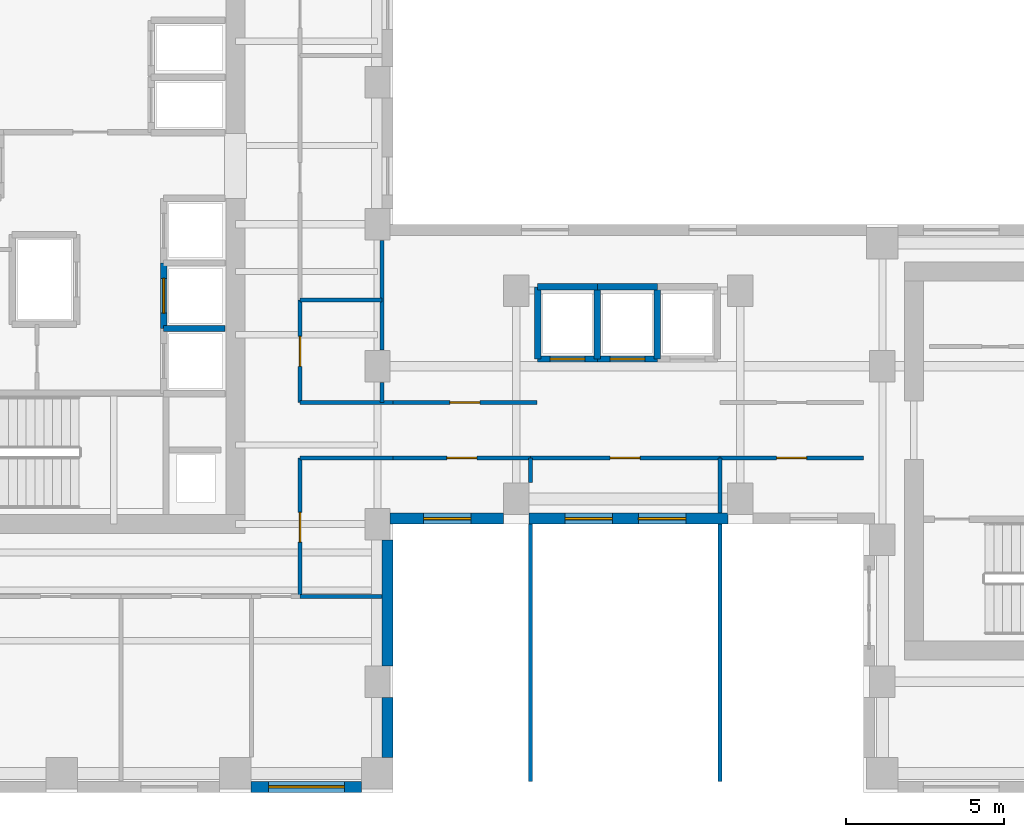
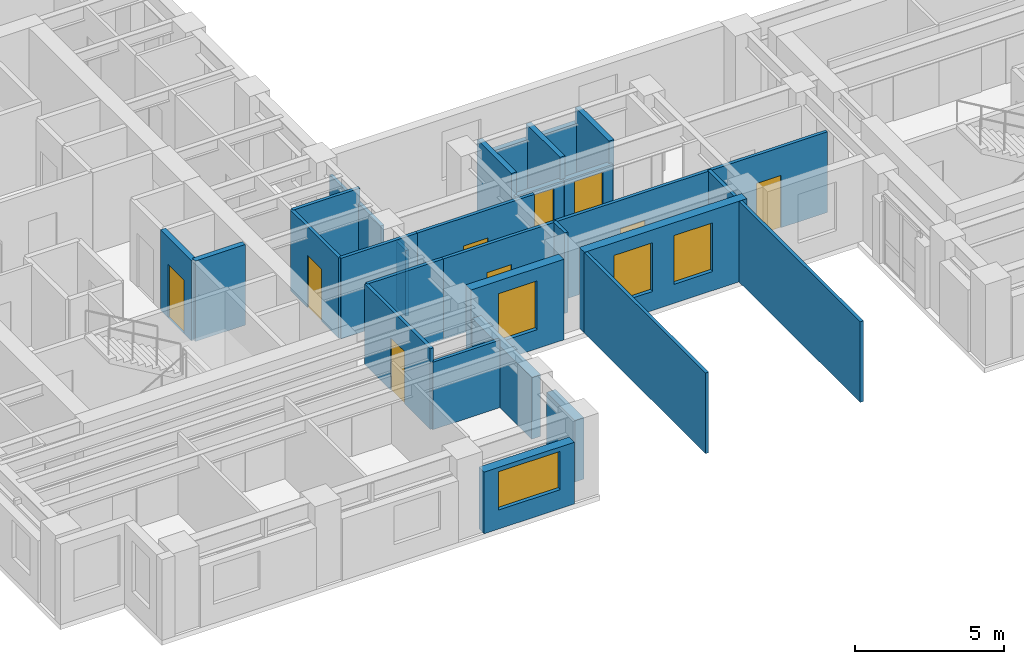
# One storey, part 5 of 12: 30 walls, 9 doors, 4 windows, 13 openings.
"""IFC4 building model written with IfcOpenShell, lengths in metres."""

from ifc_helpers import new_model, si_unit, direction, frame, frame_2d, origin, place, context, subcontext, project, spatial, rectangle, extrude, source, transform, mapped, material, layer, layer_set, type_object, element, fill, save


model = new_model("IFC4")

# Units and contexts
model_context = context("Model", 3, precision=1e-05, world=origin(), true_north=direction((0.0, 1.0)))
body_context = subcontext(model_context, "Body", "Model", "MODEL_VIEW")
ifc_project = project(units=[si_unit("LENGTHUNIT", "METRE"), si_unit("AREAUNIT", "SQUARE_METRE"), si_unit("VOLUMEUNIT", "CUBIC_METRE"), si_unit("PLANEANGLEUNIT", "RADIAN"), si_unit("MASSUNIT", "GRAM", prefix="KILO")], contexts=[model_context])

# Site, building, storey
site_placement = place(None, origin())
site = spatial("IfcSite", under=ifc_project, at=site_placement, CompositionType="ELEMENT")
building_placement = place(site_placement, origin())
building = spatial("IfcBuilding", under=site, at=building_placement, Name="Kharzan Plaza Tower", CompositionType="ELEMENT")
storey_placement = place(building_placement, frame((0.0, 0.0, 204.300048828125)))
storey = spatial("IfcBuildingStorey", under=building, at=storey_placement, Name="L55", CompositionType="ELEMENT", Elevation=204.300048828125)

# Wall, opening, window
ifc_material_1 = material(Name="Concrete C40/50", Category="concrete")
ifc_layer_1 = layer(ifc_material_1, 0.35009765625)
ifc_layer_set_1 = layer_set([ifc_layer_1], Name="Concrete C40/50")
wall_type_1 = type_object("IfcWallType", Name="WL-EXT-MAS-Z3", PredefinedType="SOLIDWALL", material=ifc_layer_set_1)
wall_1_placement = place(storey_placement, frame((14.998046875, 0.175048828125, 0.0), z_axis=(0.0, 0.0, 1.0), x_axis=(1.0, 0.0, 0.0)))
wall_1 = element("IfcWall", 1, at=wall_1_placement, inside=storey, type_object=wall_type_1, Name="L55 Masonry-Frame Exterior Wall 23", PredefinedType="SOLIDWALL", context=body_context, shape_type="SweptSolid", body=[
    extrude(rectangle(XDim=3.50390625, YDim=0.35009765625, at=frame_2d((1.751953125, 0.0))), origin(), (0.0, 0.0, 1.0), 2.531982421875),
])
opening_1_placement = place(wall_1_placement, frame((0.552001953125, 0.0, 0.780029296875)))
opening_1 = element("IfcOpeningElement", 2, at=opening_1_placement, cuts=wall_1, Name="Opening W2", PredefinedType="OPENING", context=body_context, shape_type="SweptSolid", body=[
    extrude(rectangle(XDim=2.39990234375, YDim=1.572021484375, at=frame_2d((1.199951171875, 0.7861328125))), frame((0.0, 0.18505859375, 0.0), z_axis=(0.0, -1.0, 0.0), x_axis=(1.0, 0.0, 0.0)), (0.0, 0.0, 1.0), 0.3701171875),
])
ifc_material_2 = material(Name="Low-E Double Glazing", Category="glass")
window_type_1 = type_object("IfcWindowType", Name="WN-REC-2400x2100", PartitioningType="SINGLE_PANEL", PredefinedType="WINDOW", material=ifc_material_2)
shared_shape_1 = source(origin(), body_context, "Body", "SweptSolid", [
    extrude(rectangle(XDim=2.39990234375, YDim=1.572021484375, at=frame_2d((1.199951171875, 0.7861328125))), frame((0.0, 0.030029296875, 0.0), z_axis=(0.0, -1.0, 0.0), x_axis=(1.0, 0.0, 0.0)), (0.0, 0.0, 1.0), 0.06005859375),
])
window_1_placement = place(opening_1_placement, origin())
window_1 = element("IfcWindow", 3, at=window_1_placement, inside=storey, type_object=window_type_1, Name="L55 Wide Recessed Solar-Control Window 23-1", OverallHeight=1.572021484375, OverallWidth=2.39990234375, PartitioningType="SINGLE_PANEL", PredefinedType="WINDOW", context=body_context, shape_type="MappedRepresentation", body=[
    mapped(shared_shape_1, transform((0.0, 0.0, 0.0), x_axis=(1.0, 0.0, 0.0), y_axis=(0.0, 1.0, 0.0), z_axis=(0.0, 0.0, 1.0))),
])
fill(opening_1, window_1)

wall_2_placement = place(storey_placement, frame((19.39794921875, 8.675048828125, 0.0), z_axis=(0.0, 0.0, 1.0), x_axis=(1.0, 0.0, 0.0)))
wall_2 = element("IfcWall", 4, at=wall_2_placement, inside=storey, type_object=wall_type_1, Name="L55 Masonry-Frame Exterior Wall 26", PredefinedType="SOLIDWALL", context=body_context, shape_type="SweptSolid", body=[
    extrude(rectangle(XDim=3.60400390625, YDim=0.35009765625, at=frame_2d((1.802001953125, 0.0))), origin(), (0.0, 0.0, 1.0), 3.304931640625),
])
opening_2_placement = place(wall_2_placement, frame((1.067138671875, 0.0, 0.780029296875)))
opening_2 = element("IfcOpeningElement", 5, at=opening_2_placement, cuts=wall_2, Name="Opening W5", PredefinedType="OPENING", context=body_context, shape_type="SweptSolid", body=[
    extrude(rectangle(XDim=1.5, YDim=2.0, at=frame_2d((0.75, 1.0))), frame((0.0, 0.18505859375, 0.0), z_axis=(0.0, -1.0, 0.0), x_axis=(1.0, 0.0, 0.0)), (0.0, 0.0, 1.0), 0.3701171875),
])
window_type_2 = type_object("IfcWindowType", Name="WN-SLT-1500x2000", PartitioningType="SINGLE_PANEL", PredefinedType="WINDOW", material=ifc_material_2)
shared_shape_2 = source(origin(), body_context, "Body", "SweptSolid", [
    extrude(rectangle(XDim=1.5, YDim=2.0, at=frame_2d((0.75, 1.0))), frame((0.0, 0.030029296875, 0.0), z_axis=(0.0, -1.0, 0.0), x_axis=(1.0, 0.0, 0.0)), (0.0, 0.0, 1.0), 0.06005859375),
])
window_2_placement = place(opening_2_placement, origin())
window_2 = element("IfcWindow", 6, at=window_2_placement, inside=storey, type_object=window_type_2, Name="L55 Recessed Solar-Control Window 26-1", OverallHeight=2.0, OverallWidth=1.5, PartitioningType="SINGLE_PANEL", PredefinedType="WINDOW", context=body_context, shape_type="MappedRepresentation", body=[
    mapped(shared_shape_2, transform((0.0, 0.0, 0.0), x_axis=(1.0, 0.0, 0.0), y_axis=(0.0, 1.0, 0.0), z_axis=(0.0, 0.0, 1.0))),
])
fill(opening_2, window_2)

# Wall, openings, windows
wall_3_placement = place(storey_placement, frame((23.798095703125, 8.675048828125, 0.0), z_axis=(0.0, 0.0, 1.0), x_axis=(1.0, 0.0, 0.0)))
wall_3 = element("IfcWall", 7, at=wall_3_placement, inside=storey, type_object=wall_type_1, Name="L55 Masonry-Frame Exterior Wall 27", PredefinedType="SOLIDWALL", context=body_context, shape_type="SweptSolid", body=[
    extrude(rectangle(XDim=6.303955078125, YDim=0.35009765625, at=frame_2d((3.15185546875, 0.0))), origin(), (0.0, 0.0, 1.0), 3.304931640625),
])
opening_3_placement = place(wall_3_placement, frame((1.147216796875, 0.0, 0.780029296875)))
opening_3 = element("IfcOpeningElement", 8, at=opening_3_placement, cuts=wall_3, Name="Opening W5", PredefinedType="OPENING", context=body_context, shape_type="SweptSolid", body=[
    extrude(rectangle(XDim=1.5, YDim=2.0, at=frame_2d((0.75, 1.0))), frame((0.0, 0.18505859375, 0.0), z_axis=(0.0, -1.0, 0.0), x_axis=(1.0, 0.0, 0.0)), (0.0, 0.0, 1.0), 0.3701171875),
])
opening_4_placement = place(wall_3_placement, frame((3.474609375, 0.0, 0.780029296875)))
opening_4 = element("IfcOpeningElement", 9, at=opening_4_placement, cuts=wall_3, Name="Opening W5", PredefinedType="OPENING", context=body_context, shape_type="SweptSolid", body=[
    extrude(rectangle(XDim=1.5, YDim=2.0, at=frame_2d((0.75, 1.0))), frame((0.0, 0.18505859375, 0.0), z_axis=(0.0, -1.0, 0.0), x_axis=(1.0, 0.0, 0.0)), (0.0, 0.0, 1.0), 0.3701171875),
])
window_3_placement = place(opening_3_placement, origin())
window_3 = element("IfcWindow", 10, at=window_3_placement, inside=storey, type_object=window_type_2, Name="L55 Recessed Solar-Control Window 27-1", OverallHeight=2.0, OverallWidth=1.5, PartitioningType="SINGLE_PANEL", PredefinedType="WINDOW", context=body_context, shape_type="MappedRepresentation", body=[
    mapped(shared_shape_2, transform((0.0, 0.0, 0.0), x_axis=(1.0, 0.0, 0.0), y_axis=(0.0, 1.0, 0.0), z_axis=(0.0, 0.0, 1.0))),
])
fill(opening_3, window_3)
window_4_placement = place(opening_4_placement, origin())
window_4 = element("IfcWindow", 11, at=window_4_placement, inside=storey, type_object=window_type_2, Name="L55 Recessed Solar-Control Window 27-2", OverallHeight=2.0, OverallWidth=1.5, PartitioningType="SINGLE_PANEL", PredefinedType="WINDOW", context=body_context, shape_type="MappedRepresentation", body=[
    mapped(shared_shape_2, transform((0.0, 0.0, 0.0), x_axis=(1.0, 0.0, 0.0), y_axis=(0.0, 1.0, 0.0), z_axis=(0.0, 0.0, 1.0))),
])
fill(opening_4, window_4)

# Wall, opening, door
ifc_material_3 = material(Name="Fire-Rated Gypsum Board Partition", Category="gypsum")
ifc_layer_2 = layer(ifc_material_3, 0.125)
ifc_layer_set_2 = layer_set([ifc_layer_2], Name="Fire-Rated Gypsum Board Partition")
wall_type_2 = type_object("IfcWallType", Name="WL-INT-PART-125", PredefinedType="PARTITIONING", material=ifc_layer_set_2)
wall_4_placement = place(storey_placement, frame((16.550048828125, 12.35009765625, 0.0), z_axis=(0.0, 0.0, 1.0), x_axis=(0.0, 1.0, 0.0)))
wall_4 = element("IfcWall", 12, at=wall_4_placement, inside=storey, type_object=wall_type_2, Name="L55 Interior Partition SH-AEWN1", PredefinedType="PARTITIONING", context=body_context, shape_type="SweptSolid", body=[
    extrude(rectangle(XDim=3.25, YDim=0.125, at=frame_2d((1.625, 0.0))), origin(), (0.0, 0.0, 1.0), 3.304931640625),
])
opening_5_placement = place(wall_4_placement, frame((1.14990234375, 0.0, 0.0)))
opening_5 = element("IfcOpeningElement", 13, at=opening_5_placement, cuts=wall_4, Name="Opening OD1", PredefinedType="OPENING", context=body_context, shape_type="SweptSolid", body=[
    extrude(rectangle(XDim=0.949951171875, YDim=2.14990234375, at=frame_2d((0.47509765625, 1.074951171875))), frame((0.0, 0.072509765625, 0.0), z_axis=(0.0, -1.0, 0.0), x_axis=(1.0, 0.0, 0.0)), (0.0, 0.0, 1.0), 0.14501953125),
])
ifc_material_4 = material(Name="Acoustic Solid-Core Stained Oak", Category="timber")
door_type_1 = type_object("IfcDoorType", Name="DR-OFF-SINGLE", OperationType="NOTDEFINED", PredefinedType="DOOR", material=ifc_material_4)
shared_shape_3 = source(origin(), body_context, "Body", "SweptSolid", [
    extrude(rectangle(XDim=0.949951171875, YDim=2.14990234375, at=frame_2d((0.47509765625, 1.074951171875))), frame((0.0, 0.02490234375, 0.0), z_axis=(0.0, -1.0, 0.0), x_axis=(1.0, 0.0, 0.0)), (0.0, 0.0, 1.0), 0.050048828125),
])
door_1_placement = place(opening_5_placement, origin())
door_1 = element("IfcDoor", 14, at=door_1_placement, inside=storey, type_object=door_type_1, Name="L55 Slot Collaboration Door", OperationType="SINGLE_SWING_LEFT", OverallHeight=2.14990234375, OverallWidth=0.949951171875, PredefinedType="DOOR", context=body_context, shape_type="MappedRepresentation", body=[
    mapped(shared_shape_3, transform((0.0, 0.0, 0.0), x_axis=(1.0, 0.0, 0.0), y_axis=(0.0, 1.0, 0.0), z_axis=(0.0, 0.0, 1.0))),
])
fill(opening_5, door_1)

wall_5_placement = place(storey_placement, frame((16.550048828125, 6.199951171875, 0.0), z_axis=(0.0, 0.0, 1.0), x_axis=(0.0, 1.0, 0.0)))
wall_5 = element("IfcWall", 15, at=wall_5_placement, inside=storey, type_object=wall_type_2, Name="L55 Interior Partition SH-AEWS", PredefinedType="PARTITIONING", context=body_context, shape_type="SweptSolid", body=[
    extrude(rectangle(XDim=4.400146484375, YDim=0.125, at=frame_2d((2.2001953125, 0.0))), origin(), (0.0, 0.0, 1.0), 3.304931640625),
])
opening_6_placement = place(wall_5_placement, frame((1.72509765625, 0.0, 0.0)))
opening_6 = element("IfcOpeningElement", 16, at=opening_6_placement, cuts=wall_5, Name="Opening OD1", PredefinedType="OPENING", context=body_context, shape_type="SweptSolid", body=[
    extrude(rectangle(XDim=0.949951171875, YDim=2.14990234375, at=frame_2d((0.47509765625, 1.074951171875))), frame((0.0, 0.072509765625, 0.0), z_axis=(0.0, -1.0, 0.0), x_axis=(1.0, 0.0, 0.0)), (0.0, 0.0, 1.0), 0.14501953125),
])
door_2_placement = place(opening_6_placement, origin())
door_2 = element("IfcDoor", 17, at=door_2_placement, inside=storey, type_object=door_type_1, Name="L55 Slot South Office Door", OperationType="SINGLE_SWING_RIGHT", OverallHeight=2.14990234375, OverallWidth=0.949951171875, PredefinedType="DOOR", context=body_context, shape_type="MappedRepresentation", body=[
    mapped(shared_shape_3, transform((0.0, 0.0, 0.0), x_axis=(1.0, 0.0, 0.0), y_axis=(0.0, 1.0, 0.0), z_axis=(0.0, 0.0, 1.0))),
])
fill(opening_6, door_2)

wall_6_placement = place(storey_placement, frame((19.5, 12.35009765625, 0.0), z_axis=(0.0, 0.0, 1.0), x_axis=(1.0, 0.0, 0.0)))
wall_6 = element("IfcWall", 18, at=wall_6_placement, inside=storey, type_object=wall_type_2, Name="L55 Interior Partition SH-SPNW1", PredefinedType="PARTITIONING", context=body_context, shape_type="SweptSolid", body=[
    extrude(rectangle(XDim=4.550048828125, YDim=0.125, at=frame_2d((2.27490234375, 0.0))), origin(), (0.0, 0.0, 1.0), 3.304931640625),
])
opening_7_placement = place(wall_6_placement, frame((1.800048828125, 0.0, 0.0)))
opening_7 = element("IfcOpeningElement", 19, at=opening_7_placement, cuts=wall_6, Name="Opening OD1", PredefinedType="OPENING", context=body_context, shape_type="SweptSolid", body=[
    extrude(rectangle(XDim=0.949951171875, YDim=2.14990234375, at=frame_2d((0.47509765625, 1.074951171875))), frame((0.0, 0.072509765625, 0.0), z_axis=(0.0, -1.0, 0.0), x_axis=(1.0, 0.0, 0.0)), (0.0, 0.0, 1.0), 0.14501953125),
])
door_3_placement = place(opening_7_placement, origin())
door_3 = element("IfcDoor", 20, at=door_3_placement, inside=storey, type_object=door_type_1, Name="L55 North-West Spine Door", OperationType="SINGLE_SWING_RIGHT", OverallHeight=2.14990234375, OverallWidth=0.949951171875, PredefinedType="DOOR", context=body_context, shape_type="MappedRepresentation", body=[
    mapped(shared_shape_3, transform((0.0, 0.0, 0.0), x_axis=(1.0, 0.0, 0.0), y_axis=(0.0, 1.0, 0.0), z_axis=(0.0, 0.0, 1.0))),
])
fill(opening_7, door_3)

wall_7_placement = place(storey_placement, frame((19.5, 10.60009765625, 0.0), z_axis=(0.0, 0.0, 1.0), x_axis=(1.0, 0.0, 0.0)))
wall_7 = element("IfcWall", 21, at=wall_7_placement, inside=storey, type_object=wall_type_2, Name="L55 Interior Partition SH-SPS1", PredefinedType="PARTITIONING", context=body_context, shape_type="SweptSolid", body=[
    extrude(rectangle(XDim=4.35009765625, YDim=0.125, at=frame_2d((2.175048828125, 0.0))), origin(), (0.0, 0.0, 1.0), 3.304931640625),
])
opening_8_placement = place(wall_7_placement, frame((1.699951171875, 0.0, 0.0)))
opening_8 = element("IfcOpeningElement", 22, at=opening_8_placement, cuts=wall_7, Name="Opening OD1", PredefinedType="OPENING", context=body_context, shape_type="SweptSolid", body=[
    extrude(rectangle(XDim=0.949951171875, YDim=2.14990234375, at=frame_2d((0.47509765625, 1.074951171875))), frame((0.0, 0.072509765625, 0.0), z_axis=(0.0, -1.0, 0.0), x_axis=(1.0, 0.0, 0.0)), (0.0, 0.0, 1.0), 0.14501953125),
])
door_4_placement = place(opening_8_placement, origin())
door_4 = element("IfcDoor", 23, at=door_4_placement, inside=storey, type_object=door_type_1, Name="L55 Spine Studio 1 Door", OperationType="SINGLE_SWING_LEFT", OverallHeight=2.14990234375, OverallWidth=0.949951171875, PredefinedType="DOOR", context=body_context, shape_type="MappedRepresentation", body=[
    mapped(shared_shape_3, transform((0.0, 0.0, 0.0), x_axis=(1.0, 0.0, 0.0), y_axis=(0.0, 1.0, 0.0), z_axis=(0.0, 0.0, 1.0))),
])
fill(opening_8, door_4)

wall_8_placement = place(storey_placement, frame((23.85009765625, 10.60009765625, 0.0), z_axis=(0.0, 0.0, 1.0), x_axis=(1.0, 0.0, 0.0)))
wall_8 = element("IfcWall", 24, at=wall_8_placement, inside=storey, type_object=wall_type_2, Name="L55 Interior Partition SH-SPS2", PredefinedType="PARTITIONING", context=body_context, shape_type="SweptSolid", body=[
    extrude(rectangle(XDim=6.0, YDim=0.125, at=frame_2d((3.0, 0.0))), origin(), (0.0, 0.0, 1.0), 3.304931640625),
])
opening_9_placement = place(wall_8_placement, frame((2.52490234375, 0.0, 0.0)))
opening_9 = element("IfcOpeningElement", 25, at=opening_9_placement, cuts=wall_8, Name="Opening OD1", PredefinedType="OPENING", context=body_context, shape_type="SweptSolid", body=[
    extrude(rectangle(XDim=0.949951171875, YDim=2.14990234375, at=frame_2d((0.47509765625, 1.074951171875))), frame((0.0, 0.072509765625, 0.0), z_axis=(0.0, -1.0, 0.0), x_axis=(1.0, 0.0, 0.0)), (0.0, 0.0, 1.0), 0.14501953125),
])
door_5_placement = place(opening_9_placement, origin())
door_5 = element("IfcDoor", 26, at=door_5_placement, inside=storey, type_object=door_type_1, Name="L55 Spine Studio 2 Door", OperationType="SINGLE_SWING_RIGHT", OverallHeight=2.14990234375, OverallWidth=0.949951171875, PredefinedType="DOOR", context=body_context, shape_type="MappedRepresentation", body=[
    mapped(shared_shape_3, transform((0.0, 0.0, 0.0), x_axis=(1.0, 0.0, 0.0), y_axis=(0.0, 1.0, 0.0), z_axis=(0.0, 0.0, 1.0))),
])
fill(opening_9, door_5)

wall_9_placement = place(storey_placement, frame((29.85009765625, 10.60009765625, 0.0), z_axis=(0.0, 0.0, 1.0), x_axis=(1.0, 0.0, 0.0)))
wall_9 = element("IfcWall", 27, at=wall_9_placement, inside=storey, type_object=wall_type_2, Name="L55 Interior Partition SH-SPS3", PredefinedType="PARTITIONING", context=body_context, shape_type="SweptSolid", body=[
    extrude(rectangle(XDim=4.5498046875, YDim=0.125, at=frame_2d((2.27490234375, 0.0))), origin(), (0.0, 0.0, 1.0), 3.304931640625),
])
opening_10_placement = place(wall_9_placement, frame((1.800048828125, 0.0, 0.0)))
opening_10 = element("IfcOpeningElement", 28, at=opening_10_placement, cuts=wall_9, Name="Opening OD1", PredefinedType="OPENING", context=body_context, shape_type="SweptSolid", body=[
    extrude(rectangle(XDim=0.949951171875, YDim=2.14990234375, at=frame_2d((0.47509765625, 1.074951171875))), frame((0.0, 0.072509765625, 0.0), z_axis=(0.0, -1.0, 0.0), x_axis=(1.0, 0.0, 0.0)), (0.0, 0.0, 1.0), 0.14501953125),
])
door_6_placement = place(opening_10_placement, origin())
door_6 = element("IfcDoor", 29, at=door_6_placement, inside=storey, type_object=door_type_1, Name="L55 Spine Studio 3 Door", OperationType="SINGLE_SWING_LEFT", OverallHeight=2.14990234375, OverallWidth=0.949951171875, PredefinedType="DOOR", context=body_context, shape_type="MappedRepresentation", body=[
    mapped(shared_shape_3, transform((0.0, 0.0, 0.0), x_axis=(1.0, 0.0, 0.0), y_axis=(0.0, 1.0, 0.0), z_axis=(0.0, 0.0, 1.0))),
])
fill(opening_10, door_6)

ifc_layer_3 = layer(ifc_material_1, 0.199951171875)
ifc_layer_set_3 = layer_set([ifc_layer_3], Name="Concrete C40/50")
wall_type_3 = type_object("IfcWallType", Name="WL-INT-SHAFT-200", PredefinedType="PARTITIONING", material=ifc_layer_set_3)
wall_10_placement = place(storey_placement, frame((12.22998046875, 14.699951171875, 0.0), z_axis=(0.0, 0.0, 1.0), x_axis=(0.0, 1.0, 0.0)))
wall_10 = element("IfcWall", 30, at=wall_10_placement, inside=storey, type_object=wall_type_3, Name="L55 Interior Partition SHF-PL-H2-W", PredefinedType="PARTITIONING", context=body_context, shape_type="SweptSolid", body=[
    extrude(rectangle(XDim=2.070068359375, YDim=0.199951171875, at=frame_2d((1.03515625, 0.0))), origin(), (0.0, 0.0, 1.0), 3.304931640625),
])
opening_11_placement = place(wall_10_placement, frame((0.485107421875, 0.0, 0.0)))
opening_11 = element("IfcOpeningElement", 31, at=opening_11_placement, cuts=wall_10, Name="Opening LD", PredefinedType="OPENING", context=body_context, shape_type="SweptSolid", body=[
    extrude(rectangle(XDim=1.10009765625, YDim=2.199951171875, at=frame_2d((0.550048828125, 1.10009765625))), frame((0.0, 0.10986328125, 0.0), z_axis=(0.0, -1.0, 0.0), x_axis=(1.0, 0.0, 0.0)), (0.0, 0.0, 1.0), 0.219970703125),
])
ifc_material_5 = material(Name="Brushed Stainless Steel", Category="steel")
door_type_2 = type_object("IfcDoorType", Name="DR-LIFT-SLIDE", OperationType="SLIDING_TO_LEFT", PredefinedType="DOOR", material=ifc_material_5)
shared_shape_4 = source(origin(), body_context, "Body", "SweptSolid", [
    extrude(rectangle(XDim=1.10009765625, YDim=2.199951171875, at=frame_2d((0.550048828125, 1.10009765625))), frame((0.0, 0.02490234375, 0.0), z_axis=(0.0, -1.0, 0.0), x_axis=(1.0, 0.0, 0.0)), (0.0, 0.0, 1.0), 0.050048828125),
])
door_7_placement = place(opening_11_placement, origin())
door_7 = element("IfcDoor", 32, at=door_7_placement, inside=storey, type_object=door_type_2, Name="L55 High-Rise Passenger Lift PL-H2 Sliding Landing Door", OperationType="SLIDING_TO_LEFT", OverallHeight=2.199951171875, OverallWidth=1.10009765625, PredefinedType="DOOR", context=body_context, shape_type="MappedRepresentation", body=[
    mapped(shared_shape_4, transform((0.0, 0.0, 0.0), x_axis=(1.0, 0.0, 0.0), y_axis=(0.0, 1.0, 0.0), z_axis=(0.0, 0.0, 1.0))),
])
fill(opening_11, door_7)

wall_11_placement = place(storey_placement, frame((24.080078125, 13.72998046875, 0.0), z_axis=(0.0, 0.0, 1.0), x_axis=(1.0, 0.0, 0.0)))
wall_11 = element("IfcWall", 33, at=wall_11_placement, inside=storey, type_object=wall_type_3, Name="L55 Interior Partition SHF-PL-M1-S", PredefinedType="PARTITIONING", context=body_context, shape_type="SweptSolid", body=[
    extrude(rectangle(XDim=1.889892578125, YDim=0.199951171875, at=frame_2d((0.94482421875, 0.0))), origin(), (0.0, 0.0, 1.0), 2.385986328125),
])
opening_12_placement = place(wall_11_placement, frame((0.39501953125, 0.0, 0.0)))
opening_12 = element("IfcOpeningElement", 34, at=opening_12_placement, cuts=wall_11, Name="Opening LD", PredefinedType="OPENING", context=body_context, shape_type="SweptSolid", body=[
    extrude(rectangle(XDim=1.10009765625, YDim=2.199951171875, at=frame_2d((0.550048828125, 1.10009765625))), frame((0.0, 0.10986328125, 0.0), z_axis=(0.0, -1.0, 0.0), x_axis=(1.0, 0.0, 0.0)), (0.0, 0.0, 1.0), 0.219970703125),
])
door_8_placement = place(opening_12_placement, origin())
door_8 = element("IfcDoor", 35, at=door_8_placement, inside=storey, type_object=door_type_2, Name="L55 Mid-Rise Passenger Lift PL-M1 Sliding Landing Door", OperationType="SLIDING_TO_LEFT", OverallHeight=2.199951171875, OverallWidth=1.10009765625, PredefinedType="DOOR", context=body_context, shape_type="MappedRepresentation", body=[
    mapped(shared_shape_4, transform((0.0, 0.0, 0.0), x_axis=(1.0, 0.0, 0.0), y_axis=(0.0, 1.0, 0.0), z_axis=(0.0, 0.0, 1.0))),
])
fill(opening_12, door_8)

wall_12_placement = place(storey_placement, frame((25.97998046875, 13.72998046875, 0.0), z_axis=(0.0, 0.0, 1.0), x_axis=(1.0, 0.0, 0.0)))
wall_12 = element("IfcWall", 36, at=wall_12_placement, inside=storey, type_object=wall_type_3, Name="L55 Interior Partition SHF-PL-M2-S", PredefinedType="PARTITIONING", context=body_context, shape_type="SweptSolid", body=[
    extrude(rectangle(XDim=1.89013671875, YDim=0.199951171875, at=frame_2d((0.945068359375, 0.0))), origin(), (0.0, 0.0, 1.0), 2.385986328125),
])
opening_13_placement = place(wall_12_placement, frame((0.39501953125, 0.0, 0.0)))
opening_13 = element("IfcOpeningElement", 37, at=opening_13_placement, cuts=wall_12, Name="Opening LD", PredefinedType="OPENING", context=body_context, shape_type="SweptSolid", body=[
    extrude(rectangle(XDim=1.10009765625, YDim=2.199951171875, at=frame_2d((0.550048828125, 1.10009765625))), frame((0.0, 0.10986328125, 0.0), z_axis=(0.0, -1.0, 0.0), x_axis=(1.0, 0.0, 0.0)), (0.0, 0.0, 1.0), 0.219970703125),
])
door_9_placement = place(opening_13_placement, origin())
door_9 = element("IfcDoor", 38, at=door_9_placement, inside=storey, type_object=door_type_2, Name="L55 Mid-Rise Passenger Lift PL-M2 Sliding Landing Door", OperationType="SLIDING_TO_LEFT", OverallHeight=2.199951171875, OverallWidth=1.10009765625, PredefinedType="DOOR", context=body_context, shape_type="MappedRepresentation", body=[
    mapped(shared_shape_4, transform((0.0, 0.0, 0.0), x_axis=(1.0, 0.0, 0.0), y_axis=(0.0, 1.0, 0.0), z_axis=(0.0, 0.0, 1.0))),
])
fill(opening_13, door_9)

# Walls
shared_shape_5 = source(origin(), body_context, "Body", "SweptSolid", [
    extrude(rectangle(XDim=2.599853515625, YDim=0.125, at=frame_2d((1.2998046875, 0.0))), origin(), (0.0, 0.0, 1.0), 3.304931640625),
])
wall_13_placement = place(storey_placement, frame((16.550048828125, 15.60009765625, 0.0), z_axis=(0.0, 0.0, 1.0), x_axis=(1.0, 0.0, 0.0)))
element("IfcWall", 39, at=wall_13_placement, inside=storey, type_object=wall_type_2, Name="L55 Interior Partition SH-AEH-156", PredefinedType="PARTITIONING", context=body_context, shape_type="MappedRepresentation", body=[
    mapped(shared_shape_5, transform((0.0, 0.0, 0.0), x_axis=(1.0, 0.0, 0.0), y_axis=(0.0, 1.0, 0.0), z_axis=(0.0, 0.0, 1.0))),
])
shared_shape_6 = source(origin(), body_context, "Body", "SweptSolid", [
    extrude(rectangle(XDim=2.597900390625, YDim=0.125, at=frame_2d((1.298828125, 0.0))), origin(), (0.0, 0.0, 1.0), 2.76806640625),
])
wall_14_placement = place(storey_placement, frame((16.550048828125, 6.199951171875, 0.0), z_axis=(0.0, 0.0, 1.0), x_axis=(1.0, 0.0, 0.0)))
element("IfcWall", 40, at=wall_14_placement, inside=storey, type_object=wall_type_2, Name="L55 Interior Partition SH-SSE-4", PredefinedType="PARTITIONING", context=body_context, shape_type="MappedRepresentation", body=[
    mapped(shared_shape_6, transform((0.0, 0.0, 0.0), x_axis=(1.0, 0.0, 0.0), y_axis=(0.0, 1.0, 0.0), z_axis=(0.0, 0.0, 1.0))),
])
shared_shape_7 = source(origin(), body_context, "Body", "SweptSolid", [
    extrude(rectangle(XDim=2.949951171875, YDim=0.125, at=frame_2d((1.47509765625, 0.0))), origin(), (0.0, 0.0, 1.0), 3.304931640625),
])
for number, where, z_axis, x_axis, name in (
    (41, (16.550048828125, 12.35009765625, 0.0), (0.0, 0.0, 1.0), (1.0, 0.0, 0.0), "L55 Interior Partition SH-SPNW0"),
    (42, (16.550048828125, 10.60009765625, 0.0), (0.0, 0.0, 1.0), (1.0, 0.0, 0.0), "L55 Interior Partition SH-SPS0"),
):
    element("IfcWall", number, at=place(storey_placement, frame(where, z_axis=z_axis, x_axis=x_axis)), inside=storey, type_object=wall_type_2, Name=name, PredefinedType="PARTITIONING", context=body_context, shape_type="MappedRepresentation", body=[
        mapped(shared_shape_7, transform((0.0, 0.0, 0.0), x_axis=(1.0, 0.0, 0.0), y_axis=(0.0, 1.0, 0.0), z_axis=(0.0, 0.0, 1.0))),
    ])
shared_shape_8 = source(origin(), body_context, "Body", "SweptSolid", [
    extrude(rectangle(XDim=8.14794921875, YDim=0.125, at=frame_2d((4.073974609375, 0.0))), origin(), (0.0, 0.0, 1.0), 3.304931640625),
])
for number, where, z_axis, x_axis, name in (
    (43, (23.85009765625, 0.35009765625, 0.0), (0.0, 0.0, 1.0), (0.0, 1.0, 0.0), "L55 Interior Partition SH-SPSV1-S1"),
    (44, (29.85009765625, 0.35009765625, 0.0), (0.0, 0.0, 1.0), (0.0, 1.0, 0.0), "L55 Interior Partition SH-SPSV2-S1"),
):
    element("IfcWall", number, at=place(storey_placement, frame(where, z_axis=z_axis, x_axis=x_axis)), inside=storey, type_object=wall_type_2, Name=name, PredefinedType="PARTITIONING", context=body_context, shape_type="MappedRepresentation", body=[
        mapped(shared_shape_8, transform((0.0, 0.0, 0.0), x_axis=(1.0, 0.0, 0.0), y_axis=(0.0, 1.0, 0.0), z_axis=(0.0, 0.0, 1.0))),
    ])
shared_shape_9 = source(origin(), body_context, "Body", "SweptSolid", [
    extrude(rectangle(XDim=2.2900390625, YDim=0.199951171875, at=frame_2d((1.14501953125, 0.0))), origin(), (0.0, 0.0, 1.0), 3.304931640625),
])
for number, where, z_axis, x_axis, name in (
    (45, (25.969970703125, 13.72998046875, 0.0), (0.0, 0.0, 1.0), (0.0, 1.0, 0.0), "L55 Interior Partition SHF-PL-M1-E"),
    (46, (24.080078125, 13.72998046875, 0.0), (0.0, 0.0, 1.0), (0.0, 1.0, 0.0), "L55 Interior Partition SHF-PL-M1-W"),
    (47, (27.8701171875, 13.72998046875, 0.0), (0.0, 0.0, 1.0), (0.0, 1.0, 0.0), "L55 Interior Partition SHF-PL-M2-E"),
):
    element("IfcWall", number, at=place(storey_placement, frame(where, z_axis=z_axis, x_axis=x_axis)), inside=storey, type_object=wall_type_3, Name=name, PredefinedType="PARTITIONING", context=body_context, shape_type="MappedRepresentation", body=[
        mapped(shared_shape_9, transform((0.0, 0.0, 0.0), x_axis=(1.0, 0.0, 0.0), y_axis=(0.0, 1.0, 0.0), z_axis=(0.0, 0.0, 1.0))),
    ])
shared_shape_10 = source(origin(), body_context, "Body", "SweptSolid", [
    extrude(rectangle(XDim=1.748046875, YDim=0.125, at=frame_2d((0.8740234375, 0.0))), origin(), (0.0, 0.0, 1.0), 3.304931640625),
])
wall_15_placement = place(storey_placement, frame((29.85009765625, 8.85205078125, 0.0), z_axis=(0.0, 0.0, 1.0), x_axis=(0.0, 1.0, 0.0)))
element("IfcWall", 48, at=wall_15_placement, inside=storey, type_object=wall_type_2, Name="L55 Interior Partition SH-SPSV2-S2", PredefinedType="PARTITIONING", context=body_context, shape_type="MappedRepresentation", body=[
    mapped(shared_shape_10, transform((0.0, 0.0, 0.0), x_axis=(1.0, 0.0, 0.0), y_axis=(0.0, 1.0, 0.0), z_axis=(0.0, 0.0, 1.0))),
])
shared_shape_11 = source(origin(), body_context, "Body", "SweptSolid", [
    extrude(rectangle(XDim=1.904052734375, YDim=0.35009765625, at=frame_2d((0.9521484375, 0.0))), origin(), (0.0, 0.0, 1.0), 2.531982421875),
])
wall_16_placement = place(storey_placement, frame((19.324951171875, 1.097900390625, 0.0), z_axis=(0.0, 0.0, 1.0), x_axis=(0.0, 1.0, 0.0)))
element("IfcWall", 49, at=wall_16_placement, inside=storey, type_object=wall_type_1, Name="L55 Masonry-Frame Exterior Wall 24", PredefinedType="SOLIDWALL", context=body_context, shape_type="MappedRepresentation", body=[
    mapped(shared_shape_11, transform((0.0, 0.0, 0.0), x_axis=(1.0, 0.0, 0.0), y_axis=(0.0, 1.0, 0.0), z_axis=(0.0, 0.0, 1.0))),
])
shared_shape_12 = source(origin(), body_context, "Body", "SweptSolid", [
    extrude(rectangle(XDim=4.00390625, YDim=0.35009765625, at=frame_2d((2.001953125, 0.0))), origin(), (0.0, 0.0, 1.0), 2.531982421875),
])
wall_17_placement = place(storey_placement, frame((19.324951171875, 3.998046875, 0.0), z_axis=(0.0, 0.0, 1.0), x_axis=(0.0, 1.0, 0.0)))
element("IfcWall", 50, at=wall_17_placement, inside=storey, type_object=wall_type_1, Name="L55 Masonry-Frame Exterior Wall 25", PredefinedType="SOLIDWALL", context=body_context, shape_type="MappedRepresentation", body=[
    mapped(shared_shape_12, transform((0.0, 0.0, 0.0), x_axis=(1.0, 0.0, 0.0), y_axis=(0.0, 1.0, 0.0), z_axis=(0.0, 0.0, 1.0))),
])
shared_shape_13 = source(origin(), body_context, "Body", "SweptSolid", [
    extrude(rectangle(XDim=0.6298828125, YDim=0.125, at=frame_2d((0.31494140625, 0.0))), origin(), (0.0, 0.0, 1.0), 2.69287109375),
])
wall_18_placement = place(storey_placement, frame((19.14990234375, 12.35009765625, 0.0), z_axis=(0.0, 0.0, 1.0), x_axis=(0.0, 1.0, 0.0)))
element("IfcWall", 51, at=wall_18_placement, inside=storey, type_object=wall_type_2, Name="L55 Interior Partition SH-AEN-DIV-S1", PredefinedType="PARTITIONING", context=body_context, shape_type="MappedRepresentation", body=[
    mapped(shared_shape_13, transform((0.0, 0.0, 0.0), x_axis=(1.0, 0.0, 0.0), y_axis=(0.0, 1.0, 0.0), z_axis=(0.0, 0.0, 1.0))),
])
shared_shape_14 = source(origin(), body_context, "Body", "SweptSolid", [
    extrude(rectangle(XDim=3.4599609375, YDim=0.125, at=frame_2d((1.72998046875, 0.0))), origin(), (0.0, 0.0, 1.0), 2.69287109375),
])
wall_19_placement = place(storey_placement, frame((19.14990234375, 14.02001953125, 0.0), z_axis=(0.0, 0.0, 1.0), x_axis=(0.0, 1.0, 0.0)))
element("IfcWall", 52, at=wall_19_placement, inside=storey, type_object=wall_type_2, Name="L55 Interior Partition SH-AEN-DIV-S2", PredefinedType="PARTITIONING", context=body_context, shape_type="MappedRepresentation", body=[
    mapped(shared_shape_14, transform((0.0, 0.0, 0.0), x_axis=(1.0, 0.0, 0.0), y_axis=(0.0, 1.0, 0.0), z_axis=(0.0, 0.0, 1.0))),
])
shared_shape_15 = source(origin(), body_context, "Body", "SweptSolid", [
    extrude(rectangle(XDim=0.780029296875, YDim=0.125, at=frame_2d((0.39013671875, 0.0))), origin(), (0.0, 0.0, 1.0), 3.304931640625),
])
wall_20_placement = place(storey_placement, frame((23.85009765625, 9.820068359375, 0.0), z_axis=(0.0, 0.0, 1.0), x_axis=(0.0, 1.0, 0.0)))
element("IfcWall", 53, at=wall_20_placement, inside=storey, type_object=wall_type_2, Name="L55 Interior Partition SH-SPSV1-S2", PredefinedType="PARTITIONING", context=body_context, shape_type="MappedRepresentation", body=[
    mapped(shared_shape_15, transform((0.0, 0.0, 0.0), x_axis=(1.0, 0.0, 0.0), y_axis=(0.0, 1.0, 0.0), z_axis=(0.0, 0.0, 1.0))),
])
shared_shape_16 = source(origin(), body_context, "Body", "SweptSolid", [
    extrude(rectangle(XDim=1.93994140625, YDim=0.199951171875, at=frame_2d((0.969970703125, 0.0))), origin(), (0.0, 0.0, 1.0), 3.304931640625),
])
wall_21_placement = place(storey_placement, frame((12.22998046875, 14.699951171875, 0.0), z_axis=(0.0, 0.0, 1.0), x_axis=(1.0, 0.0, 0.0)))
element("IfcWall", 54, at=wall_21_placement, inside=storey, type_object=wall_type_3, Name="L55 Interior Partition SHF-PL-H1-N", PredefinedType="PARTITIONING", context=body_context, shape_type="MappedRepresentation", body=[
    mapped(shared_shape_16, transform((0.0, 0.0, 0.0), x_axis=(1.0, 0.0, 0.0), y_axis=(0.0, 1.0, 0.0), z_axis=(0.0, 0.0, 1.0))),
])
shared_shape_17 = source(origin(), body_context, "Body", "SweptSolid", [
    extrude(rectangle(XDim=1.889892578125, YDim=0.199951171875, at=frame_2d((0.94482421875, 0.0))), origin(), (0.0, 0.0, 1.0), 2.69287109375),
])
wall_22_placement = place(storey_placement, frame((24.080078125, 16.02001953125, 0.0), z_axis=(0.0, 0.0, 1.0), x_axis=(1.0, 0.0, 0.0)))
element("IfcWall", 55, at=wall_22_placement, inside=storey, type_object=wall_type_3, Name="L55 Interior Partition SHF-PL-M1-N", PredefinedType="PARTITIONING", context=body_context, shape_type="MappedRepresentation", body=[
    mapped(shared_shape_17, transform((0.0, 0.0, 0.0), x_axis=(1.0, 0.0, 0.0), y_axis=(0.0, 1.0, 0.0), z_axis=(0.0, 0.0, 1.0))),
])
shared_shape_18 = source(origin(), body_context, "Body", "SweptSolid", [
    extrude(rectangle(XDim=1.89013671875, YDim=0.199951171875, at=frame_2d((0.945068359375, 0.0))), origin(), (0.0, 0.0, 1.0), 2.69287109375),
])
wall_23_placement = place(storey_placement, frame((25.97998046875, 16.02001953125, 0.0), z_axis=(0.0, 0.0, 1.0), x_axis=(1.0, 0.0, 0.0)))
element("IfcWall", 56, at=wall_23_placement, inside=storey, type_object=wall_type_3, Name="L55 Interior Partition SHF-PL-M2-N", PredefinedType="PARTITIONING", context=body_context, shape_type="MappedRepresentation", body=[
    mapped(shared_shape_18, transform((0.0, 0.0, 0.0), x_axis=(1.0, 0.0, 0.0), y_axis=(0.0, 1.0, 0.0), z_axis=(0.0, 0.0, 1.0))),
])

save(model, "model.ifc")
